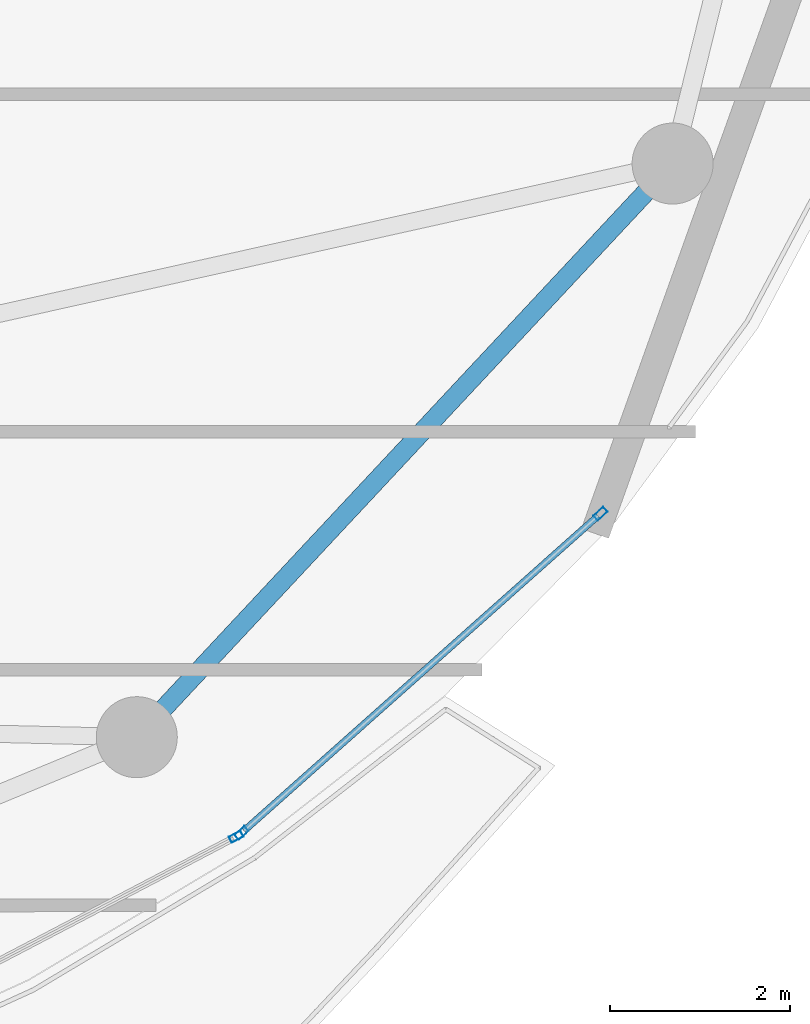
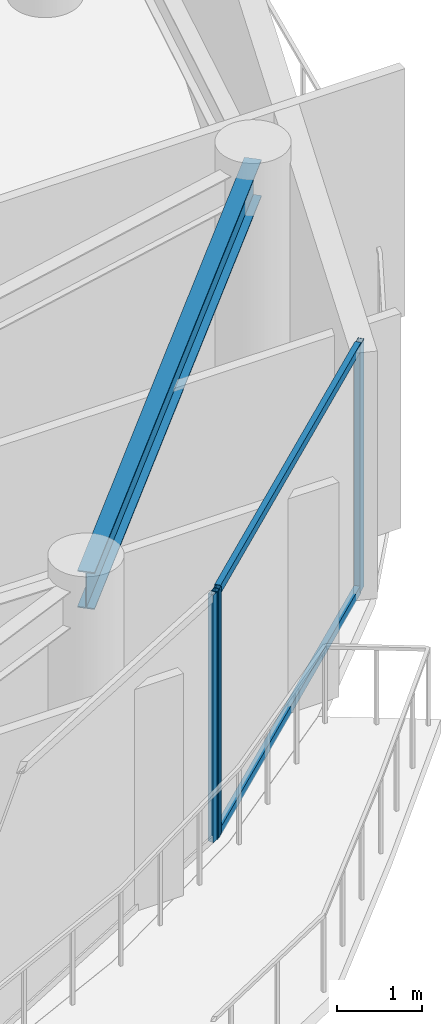
# One storey, part 15 of 29: 5 members, 1 beam, 2 elements without a shape of their own.
"""IFC4 building model written with IfcOpenShell, lengths in metres."""

from ifc_helpers import new_model, si_unit, direction, frame, origin, origin_2d, place, context, subcontext, project, spatial, hollow_rectangle, i_section, extrude, material, layer, layer_set, material_profile, profile_set, type_object, element, aggregate, save


model = new_model("IFC4")

# Units and contexts
model_context = context("Model", 3, precision=1e-05, world=origin(), true_north=direction((0.0, 1.0)))
body_context = subcontext(model_context, "Body", "Model", "MODEL_VIEW")
ifc_project = project(units=[si_unit("LENGTHUNIT", "METRE"), si_unit("AREAUNIT", "SQUARE_METRE"), si_unit("VOLUMEUNIT", "CUBIC_METRE"), si_unit("PLANEANGLEUNIT", "RADIAN"), si_unit("MASSUNIT", "GRAM", prefix="KILO")], contexts=[model_context])

# Site, building, storey
site_placement = place(None, origin())
site = spatial("IfcSite", under=ifc_project, at=site_placement, CompositionType="ELEMENT")
building_placement = place(site_placement, origin())
building = spatial("IfcBuilding", under=site, at=building_placement, Name="Kazevale Care Tower and Concert Hall", CompositionType="ELEMENT")
storey_placement = place(building_placement, frame((0.0, 0.0, 285.199951171875)))
storey = spatial("IfcBuildingStorey", under=building, at=storey_placement, Name="L75", CompositionType="ELEMENT", Elevation=285.199951171875)

# Curtain wall, members
ifc_material_1 = material(Name="Aluminium 6063-T6 and Low-E Glass", Category="aluminium")
ifc_layer = layer(ifc_material_1, 0.179931640625)
ifc_layer_set = layer_set([ifc_layer], Name="Aluminium 6063-T6 and Low-E Glass")
curtain_wall_type = type_object("IfcCurtainWallType", Name="Sheltered Concave Balcony Curtain Wall CW-5", PredefinedType="NOTDEFINED", material=ifc_layer_set)
curtain_wall_1_placement = place(storey_placement, origin())
curtain_wall_1 = element("IfcCurtainWall", 1, at=curtain_wall_1_placement, inside=storey, type_object=curtain_wall_type, Name="cw:L75:f02", PredefinedType="NOTDEFINED")
ifc_material_2 = material(Name="Aluminium 6063-T6", Category="aluminium")
ifc_material_profile_1 = material_profile(ifc_material_2, hollow_rectangle(XDim=0.074951171875, YDim=0.14990234375, WallThickness=0.00390625, at=origin_2d()), Name="ALU75x150x4")
ifc_profile_set_1 = profile_set([ifc_material_profile_1], Name="Aluminium 6063-T6")
member_type_1 = type_object("IfcMemberType", Name="CW-5 Mullion ALU75x150x4", PredefinedType="MULLION", material=ifc_profile_set_1)
member_1_placement = place(storey_placement, frame((69.55908203125, 25.592041015625, 0.0), z_axis=(0.0, 0.0, 1.0), x_axis=(0.664673629123, -0.747133834563, 0.0)))
member_1 = element("IfcMember", 2, at=member_1_placement, type_object=member_type_1, Name="CW-5 mullion 1", PredefinedType="MULLION", context=body_context, shape_type="SweptSolid", body=[
    extrude(hollow_rectangle(XDim=0.074951171875, YDim=0.14990234375, WallThickness=0.00390625, at=origin_2d()), origin(), (0.0, 0.0, 1.0), 3.56005859375),
])
member_2_placement = place(storey_placement, frame((65.573974609375, 22.046875, 0.0), z_axis=(0.0, 0.0, 1.0), x_axis=(0.664673629123, -0.747133834563, 0.0)))
member_2 = element("IfcMember", 3, at=member_2_placement, type_object=member_type_1, Name="CW-5 mullion 2", PredefinedType="MULLION", context=body_context, shape_type="SweptSolid", body=[
    extrude(hollow_rectangle(XDim=0.074951171875, YDim=0.14990234375, WallThickness=0.00390625, at=origin_2d()), origin(), (0.0, 0.0, 1.0), 3.56005859375),
])

# Curtain wall, member
curtain_wall_2_placement = place(storey_placement, origin())
curtain_wall_2 = element("IfcCurtainWall", 4, at=curtain_wall_2_placement, inside=storey, type_object=curtain_wall_type, Name="cw:L75:f03", PredefinedType="NOTDEFINED")
member_3_placement = place(storey_placement, frame((65.5126953125, 22.004638671875, 0.0), z_axis=(0.0, 0.0, 1.0), x_axis=(0.463680915912, -0.886002261972, 0.0)))
member_3 = element("IfcMember", 5, at=member_3_placement, type_object=member_type_1, Name="CW-5 mullion 1", PredefinedType="MULLION", context=body_context, shape_type="SweptSolid", body=[
    extrude(hollow_rectangle(XDim=0.074951171875, YDim=0.14990234375, WallThickness=0.00390625, at=origin_2d()), origin(), (0.0, 0.0, 1.0), 3.56005859375),
])
aggregate(curtain_wall_2, [member_3])

# Member
ifc_material_profile_2 = material_profile(ifc_material_2, hollow_rectangle(XDim=0.074951171875, YDim=0.1201171875, WallThickness=0.00390625, at=origin_2d()), Name="ALU75x120x4")
ifc_profile_set_2 = profile_set([ifc_material_profile_2], Name="Aluminium 6063-T6")
member_type_2 = type_object("IfcMemberType", Name="CW-5 Transom ALU75x120x4", PredefinedType="USERDEFINED", material=ifc_profile_set_2)
member_4_placement = place(storey_placement, frame((69.531005859375, 25.567138671875, 0.03759765625), z_axis=(-0.747130057657, -0.664677874572, 0.0), x_axis=(0.664677874572, -0.747130057657, 0.0)))
member_4 = element("IfcMember", 6, at=member_4_placement, type_object=member_type_2, Name="CW-5 transom 1.1", ObjectType="TRANSOM", PredefinedType="USERDEFINED", context=body_context, shape_type="SweptSolid", body=[
    extrude(hollow_rectangle(XDim=0.074951171875, YDim=0.1201171875, WallThickness=0.00390625, at=origin_2d()), origin(), (0.0, 0.0, 1.0), 5.2587890625),
])

member_5_placement = place(storey_placement, frame((69.531005859375, 25.567138671875, 3.5224609375), z_axis=(-0.747130057657, -0.664677874572, 0.0), x_axis=(0.664677874572, -0.747130057657, 0.0)))
member_5 = element("IfcMember", 7, at=member_5_placement, type_object=member_type_2, Name="CW-5 transom 1.2", ObjectType="TRANSOM", PredefinedType="USERDEFINED", context=body_context, shape_type="SweptSolid", body=[
    extrude(hollow_rectangle(XDim=0.074951171875, YDim=0.1201171875, WallThickness=0.00390625, at=origin_2d()), origin(), (0.0, 0.0, 1.0), 5.2587890625),
])

aggregate(curtain_wall_1, [member_1, member_2, member_4, member_5])

# Beam
ifc_material_3 = material(Name="Steel ASTM A572 Gr 50", Category="steel")
ifc_material_profile_3 = material_profile(ifc_material_3, i_section(OverallWidth=0.208984375, OverallDepth=0.532958984375, WebThickness=0.01025390625, FlangeThickness=0.015625, at=origin_2d()), Name="W530x92")
ifc_profile_set_3 = profile_set([ifc_material_profile_3], Name="Steel ASTM A572 Gr 50")
beam_type = type_object("IfcBeamType", Name="Upper Ring Beam W530x92", PredefinedType="BEAM", material=ifc_profile_set_3)
beam_placement = place(storey_placement, frame((64.409912109375, 23.110107421875, 3.29345703125), z_axis=(0.682623556843, 0.730770196192, 0.0), x_axis=(-0.730770196192, 0.682623556843, 0.0)))
element("IfcBeam", 8, at=beam_placement, inside=storey, type_object=beam_type, Name="beam:L75:ring:15", PredefinedType="BEAM", context=body_context, shape_type="SweptSolid", body=[
    extrude(i_section(OverallWidth=0.208984375, OverallDepth=0.532958984375, WebThickness=0.01025390625, FlangeThickness=0.015625, at=origin_2d()), origin(), (0.0, 0.0, 1.0), 8.716552734375),
])

save(model, "model.ifc")
